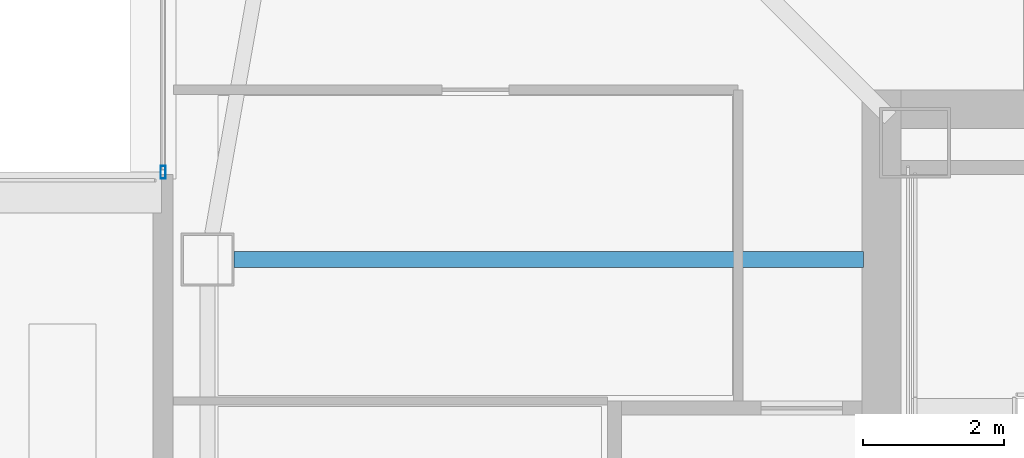
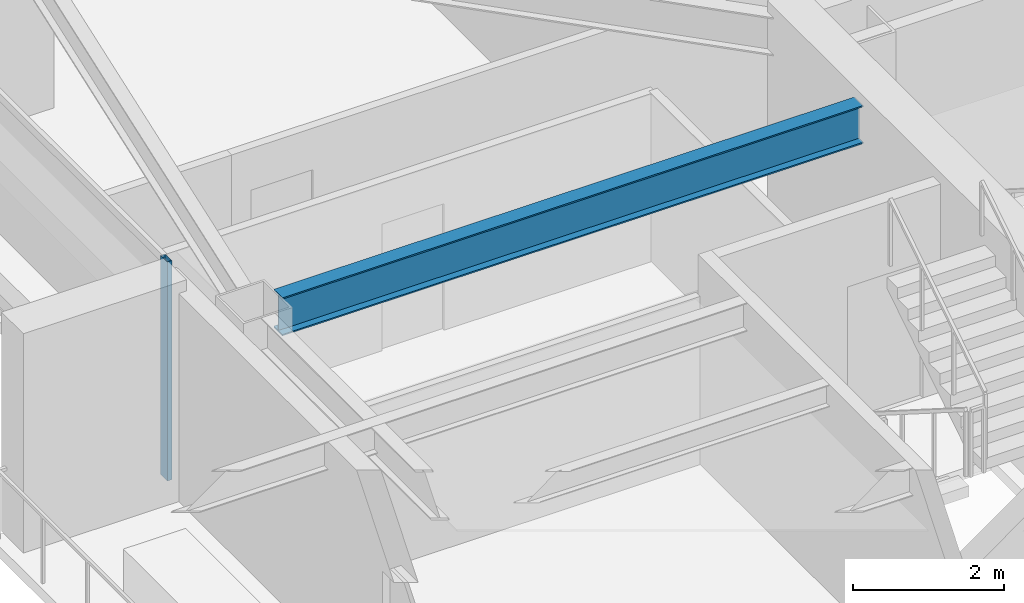
# One storey, part 7 of 43: 1 beam, 1 member, 1 element without a shape of its own.
"""IFC4 building model written with IfcOpenShell, lengths in metres."""

from ifc_helpers import new_model, si_unit, direction, frame, origin, origin_2d, place, context, subcontext, project, spatial, hollow_rectangle, i_section, extrude, material, material_profile, profile_set, type_object, element, aggregate, save


model = new_model("IFC4")

# Units and contexts
model_context = context("Model", 3, precision=1e-05, world=origin(), true_north=direction((0.0, 1.0)))
body_context = subcontext(model_context, "Body", "Model", "MODEL_VIEW")
ifc_project = project(units=[si_unit("LENGTHUNIT", "METRE"), si_unit("AREAUNIT", "SQUARE_METRE"), si_unit("VOLUMEUNIT", "CUBIC_METRE"), si_unit("PLANEANGLEUNIT", "RADIAN"), si_unit("MASSUNIT", "GRAM", prefix="KILO")], contexts=[model_context])

# Site, building, storey
site_placement = place(None, origin())
site = spatial("IfcSite", under=ifc_project, at=site_placement, CompositionType="ELEMENT")
building_placement = place(site_placement, origin())
building = spatial("IfcBuilding", under=site, at=building_placement, Name="Tashvorn Skyway Center", CompositionType="ELEMENT")
storey_placement = place(building_placement, frame((0.0, 0.0, 188.949951171875)))
storey = spatial("IfcBuildingStorey", under=building, at=storey_placement, Name="L51", CompositionType="ELEMENT", Elevation=188.949951171875)

# Beam
ifc_material_1 = material(Name="Steel ASTM A992 Grade 50", Category="steel")
ifc_material_profile_1 = material_profile(ifc_material_1, i_section(OverallWidth=0.22998046875, OverallDepth=0.616943359375, WebThickness=0.01318359375, FlangeThickness=0.022216796875, at=origin_2d()), Name="W24X94")
ifc_profile_set_1 = profile_set([ifc_material_profile_1], Name="Steel ASTM A992 Grade 50")
beam_type = type_object("IfcBeamType", Name="BM-BEAM-W24X94", PredefinedType="BEAM", material=ifc_profile_set_1)
beam_placement = place(storey_placement, frame((25.320068359375, 37.39990234375, 3.0615234375), z_axis=(1.0, 0.0, 0.0), x_axis=(0.0, 1.0, 0.0)))
element("IfcBeam", 1, at=beam_placement, inside=storey, type_object=beam_type, Name="Tower 1 L51 Primary Floor Girder FC-W1", PredefinedType="BEAM", context=body_context, shape_type="SweptSolid", body=[
    extrude(i_section(OverallWidth=0.22998046875, OverallDepth=0.616943359375, WebThickness=0.01318359375, FlangeThickness=0.022216796875, at=origin_2d()), origin(), (0.0, 0.0, 1.0), 8.89990234375),
])

# Curtain wall, member
ifc_material_2 = material(Name="Thermally broken bronze-anodized aluminium 6063-T6", Category="aluminium")
curtain_wall_type = type_object("IfcCurtainWallType", Name="CW-CW-Z4", PredefinedType="NOTDEFINED", material=ifc_material_2)
curtain_wall_placement = place(storey_placement, origin())
curtain_wall = element("IfcCurtainWall", 2, at=curtain_wall_placement, inside=storey, type_object=curtain_wall_type, Name="Tower 1 L51 West Curtain Wall R", PredefinedType="NOTDEFINED")
ifc_material_profile_2 = material_profile(ifc_material_2, hollow_rectangle(XDim=0.070068359375, YDim=0.179931640625, WallThickness=0.00390625, at=origin_2d()), Name="ALU-MULL-70x180")
ifc_profile_set_2 = profile_set([ifc_material_profile_2], Name="Thermally broken bronze-anodized aluminium 6063-T6")
member_type = type_object("IfcMemberType", Name="CWM-CW-Z4", PredefinedType="MULLION", material=ifc_profile_set_2)
member_placement = place(storey_placement, frame((24.320068359375, 38.635009765625, 0.0), z_axis=(0.0, 0.0, 1.0), x_axis=(-1.0, 0.0, 0.0)))
member = element("IfcMember", 3, at=member_placement, type_object=member_type, Name="CW-Z4 mullion 1", PredefinedType="MULLION", context=body_context, shape_type="SweptSolid", body=[
    extrude(hollow_rectangle(XDim=0.070068359375, YDim=0.179931640625, WallThickness=0.00390625, at=origin_2d()), origin(), (0.0, 0.0, 1.0), 3.550048828125),
])
aggregate(curtain_wall, [member])

save(model, "model.ifc")
